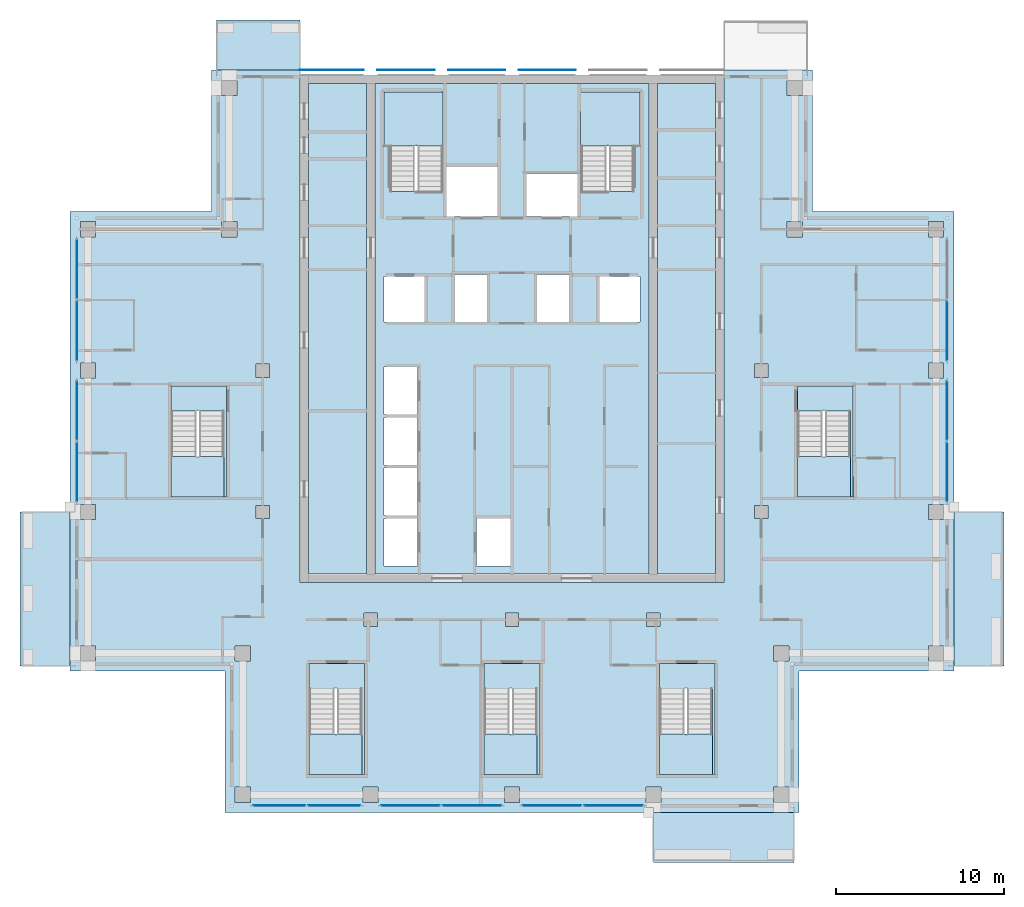
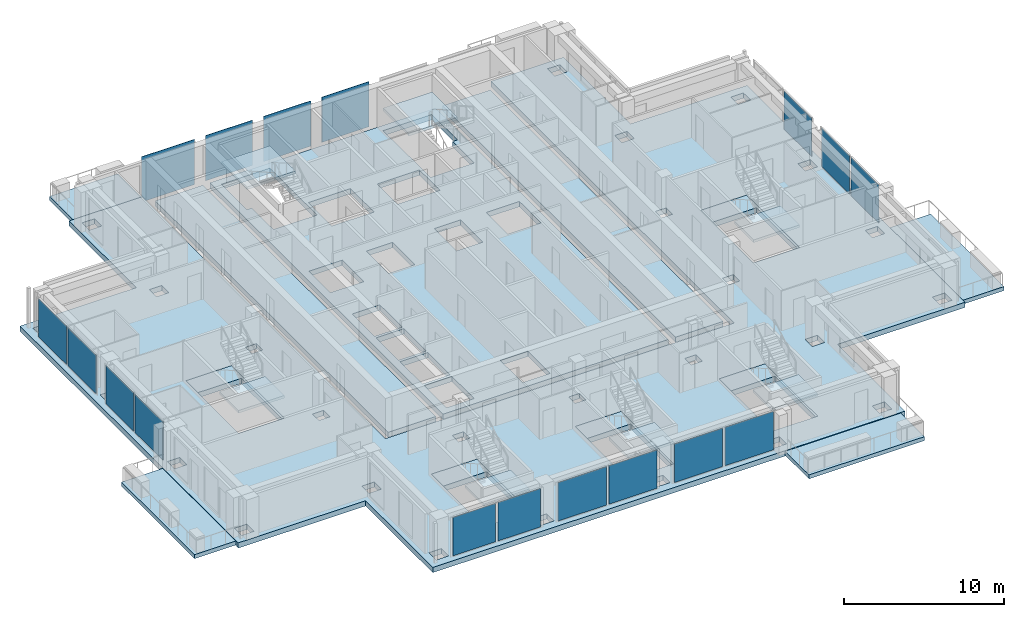
# One storey, part 8 of 18: 20 slabs, 17 plates, 14 elements without a shape of their own.
"""IFC4 building model written with IfcOpenShell, lengths in metres."""

from ifc_helpers import new_model, si_unit, direction, frame, origin, origin_2d, place, context, subcontext, project, spatial, polyline, rectangle, outline, extrude, material, layer, layer_set, type_object, element, aggregate, save


model = new_model("IFC4")

# Units and contexts
model_context = context("Model", 3, precision=1e-05, world=origin(), true_north=direction((0.0, 1.0)))
body_context = subcontext(model_context, "Body", "Model", "MODEL_VIEW")
ifc_project = project(units=[si_unit("LENGTHUNIT", "METRE"), si_unit("AREAUNIT", "SQUARE_METRE"), si_unit("VOLUMEUNIT", "CUBIC_METRE"), si_unit("PLANEANGLEUNIT", "RADIAN"), si_unit("MASSUNIT", "GRAM", prefix="KILO")], contexts=[model_context])

# Site, building, storey
site_placement = place(None, origin())
site = spatial("IfcSite", under=ifc_project, at=site_placement, CompositionType="ELEMENT")
building_placement = place(site_placement, origin())
building = spatial("IfcBuilding", under=site, at=building_placement, Name="Vermilion Ogive Tower", CompositionType="ELEMENT")
storey_placement = place(building_placement, frame((0.0, 0.0, 230.35009765625)))
storey = spatial("IfcBuildingStorey", under=building, at=storey_placement, Name="L60", CompositionType="ELEMENT", Elevation=230.35009765625)

# Slabs
ifc_material_1 = material(Name="Concrete B40", Category="concrete")
ifc_layer_1 = layer(ifc_material_1, 0.300048828125)
ifc_layer_set_1 = layer_set([ifc_layer_1], Name="Balcony slab")
slab_type_1 = type_object("IfcSlabType", Name="Balcony slab", PredefinedType="FLOOR", material=ifc_layer_set_1)
slab_1_placement = place(storey_placement, frame((0.0, 0.0, -0.340087890625)))
element("IfcSlab", 1, at=slab_1_placement, inside=storey, type_object=slab_type_1, Name="Balcony slab S04", PredefinedType="FLOOR", context=body_context, shape_type="SweptSolid", body=[
    extrude(outline(polyline([(8.39990234375, -25.030029296875), (16.75, -25.030029296875), (16.75, -22.050048828125), (8.39990234375, -22.050048828125), (8.39990234375, -25.030029296875)])), origin(), (0.0, 0.0, 1.0), 0.300048828125),
])
slab_2_placement = place(storey_placement, frame((0.0, 0.0, -0.340087890625)))
element("IfcSlab", 2, at=slab_2_placement, inside=storey, type_object=slab_type_1, Name="Balcony slab E01", PredefinedType="FLOOR", context=body_context, shape_type="SweptSolid", body=[
    extrude(outline(polyline([(29.22998046875, -13.35009765625), (29.22998046875, -4.199951171875), (26.25, -4.199951171875), (26.25, -13.35009765625), (29.22998046875, -13.35009765625)])), origin(), (0.0, 0.0, 1.0), 0.300048828125),
])
slab_3_placement = place(storey_placement, frame((0.0, 0.0, -0.340087890625)))
element("IfcSlab", 3, at=slab_3_placement, inside=storey, type_object=slab_type_1, Name="Balcony slab N201", PredefinedType="FLOOR", context=body_context, shape_type="SweptSolid", body=[
    extrude(outline(polyline([(-12.60009765625, 25.030029296875), (-17.550048828125, 25.030029296875), (-17.550048828125, 22.050048828125), (-12.60009765625, 22.050048828125), (-12.60009765625, 25.030029296875)])), origin(), (0.0, 0.0, 1.0), 0.300048828125),
])
slab_4_placement = place(storey_placement, frame((0.0, 0.0, -0.340087890625)))
element("IfcSlab", 4, at=slab_4_placement, inside=storey, type_object=slab_type_1, Name="Balcony slab W03", PredefinedType="FLOOR", context=body_context, shape_type="SweptSolid", body=[
    extrude(outline(polyline([(-29.22998046875, -4.199951171875), (-29.22998046875, -13.35009765625), (-26.25, -13.35009765625), (-26.25, -4.199951171875), (-29.22998046875, -4.199951171875)])), origin(), (0.0, 0.0, 1.0), 0.300048828125),
])

# Curtain wall, plates
ifc_material_2 = material(Name="Low-iron laminated glazing in aluminium frame", Category="aluminium")
curtain_wall_type = type_object("IfcCurtainWallType", Name="Curtain wall CW7", PredefinedType="NOTDEFINED", material=ifc_material_2)
curtain_wall_1_placement = place(storey_placement, origin())
curtain_wall_1 = element("IfcCurtainWall", 5, at=curtain_wall_1_placement, inside=storey, type_object=curtain_wall_type, Name="Glazed skin S1", PredefinedType="NOTDEFINED")
ifc_material_3 = material(Name="Low-iron laminated glazing in aluminium frame", Category="aluminium")
ifc_layer_2 = layer(ifc_material_3, 0.031982421875)
ifc_layer_set_2 = layer_set([ifc_layer_2], Name="CW7 glazing panel 32")
plate_type_1 = type_object("IfcPlateType", Name="CW7 glazing panel 32", PredefinedType="CURTAIN_PANEL", material=ifc_layer_set_2)
plate_1_placement = place(storey_placement, frame((-13.830078125, -21.64990234375, 0.06005859375), z_axis=(0.0, 0.0, 1.0), x_axis=(1.0, 0.0, 0.0)))
plate_1 = element("IfcPlate", 6, at=plate_1_placement, type_object=plate_type_1, Name="CW7-S1 panel 1.1", PredefinedType="CURTAIN_PANEL", context=body_context, shape_type="SweptSolid", body=[
    extrude(rectangle(XDim=3.080078125, YDim=0.031982421875, at=origin_2d()), origin(), (0.0, 0.0, 1.0), 2.929931640625),
])
plate_2_placement = place(storey_placement, frame((-10.570068359375, -21.64990234375, 0.06005859375), z_axis=(0.0, 0.0, 1.0), x_axis=(1.0, 0.0, 0.0)))
plate_2 = element("IfcPlate", 7, at=plate_2_placement, type_object=plate_type_1, Name="CW7-S1 panel 2.1", PredefinedType="CURTAIN_PANEL", context=body_context, shape_type="SweptSolid", body=[
    extrude(rectangle(XDim=3.080078125, YDim=0.031982421875, at=origin_2d()), origin(), (0.0, 0.0, 1.0), 2.929931640625),
])
aggregate(curtain_wall_1, [plate_1, plate_2])

curtain_wall_2_placement = place(storey_placement, origin())
curtain_wall_2 = element("IfcCurtainWall", 8, at=curtain_wall_2_placement, inside=storey, type_object=curtain_wall_type, Name="Glazed skin S2", PredefinedType="NOTDEFINED")
plate_3_placement = place(storey_placement, frame((-6.030029296875, -21.64990234375, 0.06005859375), z_axis=(0.0, 0.0, 1.0), x_axis=(1.0, 0.0, 0.0)))
plate_3 = element("IfcPlate", 9, at=plate_3_placement, type_object=plate_type_1, Name="CW7-S2 panel 1.1", PredefinedType="CURTAIN_PANEL", context=body_context, shape_type="SweptSolid", body=[
    extrude(rectangle(XDim=3.47998046875, YDim=0.031982421875, at=origin_2d()), origin(), (0.0, 0.0, 1.0), 2.929931640625),
])
plate_4_placement = place(storey_placement, frame((-2.3701171875, -21.64990234375, 0.06005859375), z_axis=(0.0, 0.0, 1.0), x_axis=(1.0, 0.0, 0.0)))
plate_4 = element("IfcPlate", 10, at=plate_4_placement, type_object=plate_type_1, Name="CW7-S2 panel 2.1", PredefinedType="CURTAIN_PANEL", context=body_context, shape_type="SweptSolid", body=[
    extrude(rectangle(XDim=3.47998046875, YDim=0.031982421875, at=origin_2d()), origin(), (0.0, 0.0, 1.0), 2.929931640625),
])
aggregate(curtain_wall_2, [plate_3, plate_4])

curtain_wall_3_placement = place(storey_placement, origin())
curtain_wall_3 = element("IfcCurtainWall", 11, at=curtain_wall_3_placement, inside=storey, type_object=curtain_wall_type, Name="Glazed skin S3", PredefinedType="NOTDEFINED")
plate_5_placement = place(storey_placement, frame((2.3701171875, -21.64990234375, 0.06005859375), z_axis=(0.0, 0.0, 1.0), x_axis=(1.0, 0.0, 0.0)))
plate_5 = element("IfcPlate", 12, at=plate_5_placement, type_object=plate_type_1, Name="CW7-S3 panel 1.1", PredefinedType="CURTAIN_PANEL", context=body_context, shape_type="SweptSolid", body=[
    extrude(rectangle(XDim=3.47998046875, YDim=0.031982421875, at=origin_2d()), origin(), (0.0, 0.0, 1.0), 2.929931640625),
])
plate_6_placement = place(storey_placement, frame((6.030029296875, -21.64990234375, 0.06005859375), z_axis=(0.0, 0.0, 1.0), x_axis=(1.0, 0.0, 0.0)))
plate_6 = element("IfcPlate", 13, at=plate_6_placement, type_object=plate_type_1, Name="CW7-S3 panel 2.1", PredefinedType="CURTAIN_PANEL", context=body_context, shape_type="SweptSolid", body=[
    extrude(rectangle(XDim=3.47998046875, YDim=0.031982421875, at=origin_2d()), origin(), (0.0, 0.0, 1.0), 2.929931640625),
])
aggregate(curtain_wall_3, [plate_5, plate_6])

curtain_wall_4_placement = place(storey_placement, origin())
curtain_wall_4 = element("IfcCurtainWall", 14, at=curtain_wall_4_placement, inside=storey, type_object=curtain_wall_type, Name="Glazed skin E2", PredefinedType="NOTDEFINED")
plate_7_placement = place(storey_placement, frame((25.85009765625, -1.830078125, 0.06005859375), z_axis=(0.0, 0.0, 1.0), x_axis=(0.0, 1.0, 0.0)))
plate_7 = element("IfcPlate", 15, at=plate_7_placement, type_object=plate_type_1, Name="CW7-E2 panel 1.1", PredefinedType="CURTAIN_PANEL", context=body_context, shape_type="SweptSolid", body=[
    extrude(rectangle(XDim=3.47998046875, YDim=0.031982421875, at=origin_2d()), origin(), (0.0, 0.0, 1.0), 2.929931640625),
])
plate_8_placement = place(storey_placement, frame((25.85009765625, 1.830078125, 0.06005859375), z_axis=(0.0, 0.0, 1.0), x_axis=(0.0, 1.0, 0.0)))
plate_8 = element("IfcPlate", 16, at=plate_8_placement, type_object=plate_type_1, Name="CW7-E2 panel 2.1", PredefinedType="CURTAIN_PANEL", context=body_context, shape_type="SweptSolid", body=[
    extrude(rectangle(XDim=3.47998046875, YDim=0.031982421875, at=origin_2d()), origin(), (0.0, 0.0, 1.0), 2.929931640625),
])
aggregate(curtain_wall_4, [plate_7, plate_8])

# Curtain wall, plate
curtain_wall_5_placement = place(storey_placement, origin())
curtain_wall_5 = element("IfcCurtainWall", 17, at=curtain_wall_5_placement, inside=storey, type_object=curtain_wall_type, Name="Glazed skin E3", PredefinedType="NOTDEFINED")
plate_9_placement = place(storey_placement, frame((25.85009765625, 6.570068359375, 0.06005859375), z_axis=(0.0, 0.0, 1.0), x_axis=(0.0, 1.0, 0.0)))
plate_9 = element("IfcPlate", 18, at=plate_9_placement, type_object=plate_type_1, Name="CW7-E3 panel 1.1", PredefinedType="CURTAIN_PANEL", context=body_context, shape_type="SweptSolid", body=[
    extrude(rectangle(XDim=3.47998046875, YDim=0.031982421875, at=origin_2d()), origin(), (0.0, 0.0, 1.0), 2.929931640625),
])
aggregate(curtain_wall_5, [plate_9])

# Curtain wall, plates
curtain_wall_6_placement = place(storey_placement, origin())
curtain_wall_6 = element("IfcCurtainWall", 19, at=curtain_wall_6_placement, inside=storey, type_object=curtain_wall_type, Name="Glazed skin W1", PredefinedType="NOTDEFINED")
plate_10_placement = place(storey_placement, frame((-25.85009765625, 10.22998046875, 0.06005859375), z_axis=(0.0, 0.0, 1.0), x_axis=(0.0, -1.0, 0.0)))
plate_10 = element("IfcPlate", 20, at=plate_10_placement, type_object=plate_type_1, Name="CW7-W1 panel 1.1", PredefinedType="CURTAIN_PANEL", context=body_context, shape_type="SweptSolid", body=[
    extrude(rectangle(XDim=3.47998046875, YDim=0.031982421875, at=origin_2d()), origin(), (0.0, 0.0, 1.0), 2.929931640625),
])
plate_11_placement = place(storey_placement, frame((-25.85009765625, 6.570068359375, 0.06005859375), z_axis=(0.0, 0.0, 1.0), x_axis=(0.0, -1.0, 0.0)))
plate_11 = element("IfcPlate", 21, at=plate_11_placement, type_object=plate_type_1, Name="CW7-W1 panel 2.1", PredefinedType="CURTAIN_PANEL", context=body_context, shape_type="SweptSolid", body=[
    extrude(rectangle(XDim=3.47998046875, YDim=0.031982421875, at=origin_2d()), origin(), (0.0, 0.0, 1.0), 2.929931640625),
])
aggregate(curtain_wall_6, [plate_10, plate_11])

curtain_wall_7_placement = place(storey_placement, origin())
curtain_wall_7 = element("IfcCurtainWall", 22, at=curtain_wall_7_placement, inside=storey, type_object=curtain_wall_type, Name="Glazed skin W2", PredefinedType="NOTDEFINED")
plate_12_placement = place(storey_placement, frame((-25.85009765625, 1.830078125, 0.06005859375), z_axis=(0.0, 0.0, 1.0), x_axis=(0.0, -1.0, 0.0)))
plate_12 = element("IfcPlate", 23, at=plate_12_placement, type_object=plate_type_1, Name="CW7-W2 panel 1.1", PredefinedType="CURTAIN_PANEL", context=body_context, shape_type="SweptSolid", body=[
    extrude(rectangle(XDim=3.47998046875, YDim=0.031982421875, at=origin_2d()), origin(), (0.0, 0.0, 1.0), 2.929931640625),
])
plate_13_placement = place(storey_placement, frame((-25.85009765625, -1.830078125, 0.06005859375), z_axis=(0.0, 0.0, 1.0), x_axis=(0.0, -1.0, 0.0)))
plate_13 = element("IfcPlate", 24, at=plate_13_placement, type_object=plate_type_1, Name="CW7-W2 panel 2.1", PredefinedType="CURTAIN_PANEL", context=body_context, shape_type="SweptSolid", body=[
    extrude(rectangle(XDim=3.47998046875, YDim=0.031982421875, at=origin_2d()), origin(), (0.0, 0.0, 1.0), 2.929931640625),
])
aggregate(curtain_wall_7, [plate_12, plate_13])

# Slabs
ifc_material_4 = material(Name="Concrete B40", Category="concrete")
ifc_layer_3 = layer(ifc_material_4, 0.39990234375)
ifc_layer_set_3 = layer_set([ifc_layer_3], Name="Core floor slab 400 B40")
slab_type_2 = type_object("IfcSlabType", Name="Core floor slab 400 B40", PredefinedType="FLOOR", material=ifc_layer_set_3)
slab_5_placement = place(storey_placement, frame((0.0, 0.0, -0.400146484375)))
element("IfcSlab", 25, at=slab_5_placement, inside=storey, type_object=slab_type_2, Name="L60-CK-FS1", PredefinedType="FLOOR", context=body_context, shape_type="SweptSolid", body=[
    extrude(outline(polyline([(-8.654052734375, 21.24609375), (-8.654052734375, -7.89599609375), (-12.095947265625, -7.89599609375), (-12.095947265625, 21.24609375), (-8.654052734375, 21.24609375)])), origin(), (0.0, 0.0, 1.0), 0.400146484375),
])
slab_6_placement = place(storey_placement, frame((0.0, 0.0, -0.400146484375)))
element("IfcSlab", 26, at=slab_6_placement, inside=storey, type_object=slab_type_2, Name="L60-CK-FS2", PredefinedType="FLOOR", context=body_context, shape_type="SweptSolid", body=[
    extrude(outline(polyline([(-8.14599609375, -7.89599609375), (8.14599609375, -7.89599609375), (8.14599609375, 21.24609375), (-8.14599609375, 21.24609375), (-8.14599609375, -7.89599609375)]), holes=[polyline([(-7.60009765625, -7.39990234375), (-7.60009765625, -4.60009765625), (-5.60009765625, -4.60009765625), (-5.60009765625, -7.39990234375), (-7.60009765625, -7.39990234375)]), polyline([(-7.60009765625, -4.39990234375), (-7.60009765625, -1.60009765625), (-5.60009765625, -1.60009765625), (-5.60009765625, -4.39990234375), (-7.60009765625, -4.39990234375)]), polyline([(-7.60009765625, -1.39990234375), (-7.60009765625, 1.39990234375), (-5.60009765625, 1.39990234375), (-5.60009765625, -1.39990234375), (-7.60009765625, -1.39990234375)]), polyline([(-7.60009765625, 1.60009765625), (-7.60009765625, 4.39990234375), (-5.60009765625, 4.39990234375), (-5.60009765625, 1.60009765625), (-7.60009765625, 1.60009765625)]), polyline([(-7.60009765625, 7.10009765625), (-7.60009765625, 9.800048828125), (-5.199951171875, 9.800048828125), (-5.199951171875, 7.10009765625), (-7.60009765625, 7.10009765625)]), polyline([(-3.39990234375, 9.89990234375), (-1.5, 9.89990234375), (-1.5, 7.10009765625), (-3.39990234375, 7.10009765625), (-3.39990234375, 9.89990234375)]), polyline([(-7.60009765625, 17.550048828125), (-7.60009765625, 20.75), (-4.10009765625, 20.75), (-4.10009765625, 14.85205078125), (-5.60009765625, 14.85205078125), (-5.60009765625, 14.85009765625), (-5.75, 14.85009765625), (-5.75, 14.85205078125), (-7.25, 14.85205078125), (-7.25, 17.550048828125), (-7.60009765625, 17.550048828125)]), polyline([(-2.10009765625, -7.39990234375), (-2.10009765625, -4.60009765625), (-0.10009765625, -4.60009765625), (-0.10009765625, -7.39990234375), (-2.10009765625, -7.39990234375)]), polyline([(5.199951171875, 7.10009765625), (5.199951171875, 9.800048828125), (7.60009765625, 9.800048828125), (7.60009765625, 7.10009765625), (5.199951171875, 7.10009765625)]), polyline([(1.5, 7.10009765625), (1.5, 9.89990234375), (3.39990234375, 9.89990234375), (3.39990234375, 7.10009765625), (1.5, 7.10009765625)]), polyline([(0.85009765625, 13.35009765625), (0.85009765625, 15.89990234375), (3.89990234375, 15.89990234375), (3.89990234375, 13.35009765625), (0.85009765625, 13.35009765625)]), polyline([(-3.89990234375, 16.300048828125), (-0.85009765625, 16.300048828125), (-0.85009765625, 13.35009765625), (-3.89990234375, 13.35009765625), (-3.89990234375, 16.300048828125)]), polyline([(5.75, 14.85009765625), (5.60009765625, 14.85009765625), (5.60009765625, 14.85205078125), (4.10009765625, 14.85205078125), (4.10009765625, 17.550048828125), (4.074951171875, 17.550048828125), (4.074951171875, 20.75), (7.60009765625, 20.75), (7.60009765625, 17.550048828125), (7.25, 17.550048828125), (7.25, 14.85205078125), (5.75, 14.85205078125), (5.75, 14.85009765625)])]), origin(), (0.0, 0.0, 1.0), 0.400146484375),
])
slab_7_placement = place(storey_placement, frame((0.0, 0.0, -0.400146484375)))
element("IfcSlab", 27, at=slab_7_placement, inside=storey, type_object=slab_type_2, Name="L60-CK-FS3", PredefinedType="FLOOR", context=body_context, shape_type="SweptSolid", body=[
    extrude(outline(polyline([(8.654052734375, 21.24609375), (12.095947265625, 21.24609375), (12.095947265625, -7.89599609375), (8.654052734375, -7.89599609375), (8.654052734375, 21.24609375)])), origin(), (0.0, 0.0, 1.0), 0.400146484375),
])
slab_8_placement = place(storey_placement, frame((0.0, 0.0, -0.400146484375)))
element("IfcSlab", 28, at=slab_8_placement, inside=storey, type_object=slab_type_2, Name="L60-SF-ST3-1", PredefinedType="FLOOR", context=body_context, shape_type="SweptSolid", body=[
    extrude(outline(polyline([(-12.050048828125, -13.199951171875), (-12.050048828125, -14.701904296875), (-10.550048828125, -14.701904296875), (-10.550048828125, -14.699951171875), (-10.39990234375, -14.699951171875), (-10.39990234375, -14.701904296875), (-8.89990234375, -14.701904296875), (-8.89990234375, -19.800048828125), (-8.75, -19.800048828125), (-8.75, -13.199951171875), (-12.050048828125, -13.199951171875)])), origin(), (0.0, 0.0, 1.0), 0.400146484375),
])
slab_9_placement = place(storey_placement, frame((0.0, 0.0, -0.400146484375)))
element("IfcSlab", 29, at=slab_9_placement, inside=storey, type_object=slab_type_2, Name="L60-SF-ST4-1", PredefinedType="FLOOR", context=body_context, shape_type="SweptSolid", body=[
    extrude(outline(polyline([(-1.64990234375, -13.199951171875), (-1.64990234375, -14.701904296875), (-0.14990234375, -14.701904296875), (-0.14990234375, -14.699951171875), (0.0, -14.699951171875), (0.0, -14.701904296875), (1.5, -14.701904296875), (1.5, -19.800048828125), (1.64990234375, -19.800048828125), (1.64990234375, -13.199951171875), (-1.64990234375, -13.199951171875)])), origin(), (0.0, 0.0, 1.0), 0.400146484375),
])
slab_10_placement = place(storey_placement, frame((0.0, 0.0, -0.400146484375)))
element("IfcSlab", 30, at=slab_10_placement, inside=storey, type_object=slab_type_2, Name="L60-SF-ST5-1", PredefinedType="FLOOR", context=body_context, shape_type="SweptSolid", body=[
    extrude(outline(polyline([(8.75, -13.199951171875), (8.75, -14.701904296875), (10.25, -14.701904296875), (10.25, -14.699951171875), (10.39990234375, -14.699951171875), (10.39990234375, -14.701904296875), (11.89990234375, -14.701904296875), (11.89990234375, -19.800048828125), (12.050048828125, -19.800048828125), (12.050048828125, -13.199951171875), (8.75, -13.199951171875)])), origin(), (0.0, 0.0, 1.0), 0.400146484375),
])
slab_11_placement = place(storey_placement, frame((0.0, 0.0, -0.400146484375)))
element("IfcSlab", 31, at=slab_11_placement, inside=storey, type_object=slab_type_2, Name="L60-SF-ST8-1", PredefinedType="FLOOR", context=body_context, shape_type="SweptSolid", body=[
    extrude(outline(polyline([(16.949951171875, 3.300048828125), (16.949951171875, 1.798095703125), (18.449951171875, 1.798095703125), (18.449951171875, 1.800048828125), (18.60009765625, 1.800048828125), (18.60009765625, 1.798095703125), (20.10009765625, 1.798095703125), (20.10009765625, -3.300048828125), (20.25, -3.300048828125), (20.25, 3.300048828125), (16.949951171875, 3.300048828125)])), origin(), (0.0, 0.0, 1.0), 0.400146484375),
])
slab_12_placement = place(storey_placement, frame((0.0, 0.0, -0.400146484375)))
element("IfcSlab", 32, at=slab_12_placement, inside=storey, type_object=slab_type_2, Name="L60-SF-ST9-1", PredefinedType="FLOOR", context=body_context, shape_type="SweptSolid", body=[
    extrude(outline(polyline([(-20.25, 3.300048828125), (-20.25, 1.798095703125), (-18.75, 1.798095703125), (-18.75, 1.800048828125), (-18.60009765625, 1.800048828125), (-18.60009765625, 1.798095703125), (-17.10009765625, 1.798095703125), (-17.10009765625, -3.300048828125), (-16.949951171875, -3.300048828125), (-16.949951171875, 3.300048828125), (-20.25, 3.300048828125)])), origin(), (0.0, 0.0, 1.0), 0.400146484375),
])

# Plates
ifc_material_5 = material(Name="Low-iron laminated glazing in aluminium frame", Category="aluminium")
ifc_layer_4 = layer(ifc_material_5, 0.031982421875)
ifc_layer_set_4 = layer_set([ifc_layer_4], Name="Glazed rainscreen sheet 32")
plate_type_2 = type_object("IfcPlateType", Name="Glazed rainscreen sheet 32", PredefinedType="SHEET", material=ifc_layer_set_4)
plate_14_placement = place(storey_placement, frame((-10.7099609375, 22.06591796875, -0.39990234375), z_axis=(0.0, 0.0, 1.0), x_axis=(1.0, 0.0, 0.0)))
element("IfcPlate", 33, at=plate_14_placement, inside=storey, type_object=plate_type_2, Name="Glazed rainscreen sheet N1", PredefinedType="SHEET", context=body_context, shape_type="SweptSolid", body=[
    extrude(rectangle(XDim=3.820068359375, YDim=0.031982421875, at=origin_2d()), origin(), (0.0, 0.0, 1.0), 3.449951171875),
])
for number, where, z_axis, x_axis, name in (
    (34, (-6.300048828125, 22.06591796875, -0.39990234375), (0.0, 0.0, 1.0), (1.0, 0.0, 0.0), "Glazed rainscreen sheet N2"),
    (35, (-2.10009765625, 22.06591796875, -0.39990234375), (0.0, 0.0, 1.0), (1.0, 0.0, 0.0), "Glazed rainscreen sheet N3"),
    (36, (2.10009765625, 22.06591796875, -0.39990234375), (0.0, 0.0, 1.0), (1.0, 0.0, 0.0), "Glazed rainscreen sheet N4"),
):
    element("IfcPlate", number, at=place(storey_placement, frame(where, z_axis=z_axis, x_axis=x_axis)), inside=storey, type_object=plate_type_2, Name=name, PredefinedType="SHEET", context=body_context, shape_type="SweptSolid", body=[
        extrude(rectangle(XDim=3.39990234375, YDim=0.031982421875, at=origin_2d()), origin(), (0.0, 0.0, 1.0), 3.449951171875),
    ])

# Slab
ifc_material_6 = material(Name="Concrete B45", Category="concrete")
ifc_layer_5 = layer(ifc_material_6, 0.39990234375)
ifc_layer_set_5 = layer_set([ifc_layer_5], Name="Post-tensioned flat plate 400 B45")
slab_type_3 = type_object("IfcSlabType", Name="Post-tensioned flat plate 400 B45", PredefinedType="FLOOR", material=ifc_layer_set_5)
slab_13_placement = place(storey_placement, frame((0.0, 0.0, -0.400146484375)))
element("IfcSlab", 37, at=slab_13_placement, inside=storey, type_object=slab_type_3, Name="L60-SL-1", PredefinedType="FLOOR", context=body_context, shape_type="SweptSolid", body=[
    extrude(outline(polyline([(-26.25, -13.64990234375), (-17.050048828125, -13.64990234375), (-17.050048828125, -22.050048828125), (17.050048828125, -22.050048828125), (17.050048828125, -13.64990234375), (26.25, -13.64990234375), (26.25, 13.64990234375), (17.85009765625, 13.64990234375), (17.85009765625, 22.050048828125), (12.60009765625, 22.050048828125), (12.60009765625, -8.39990234375), (-12.60009765625, -8.39990234375), (-12.60009765625, 22.050048828125), (-17.85009765625, 22.050048828125), (-17.85009765625, 13.64990234375), (-26.25, 13.64990234375), (-26.25, -13.64990234375)]), holes=[polyline([(25.64990234375, -3.75), (25.64990234375, -4.64990234375), (24.75, -4.64990234375), (24.75, -3.75), (25.64990234375, -3.75)]), polyline([(25.64990234375, -12.14990234375), (25.64990234375, -13.050048828125), (24.75, -13.050048828125), (24.75, -12.14990234375), (25.64990234375, -12.14990234375)]), polyline([(25.64990234375, 12.14990234375), (24.75, 12.14990234375), (24.75, 13.050048828125), (25.64990234375, 13.050048828125), (25.64990234375, 12.14990234375)]), polyline([(25.64990234375, 3.75), (24.75, 3.75), (24.75, 4.64990234375), (25.64990234375, 4.64990234375), (25.64990234375, 3.75)]), polyline([(20.25, -3.2998046875), (20.25, -3.300048828125), (16.949951171875, -3.300048828125), (16.949951171875, 3.300048828125), (20.25, 3.300048828125), (20.25, -0.89990234375), (20.275146484375, -0.89990234375), (20.275146484375, -3.2998046875), (20.25, -3.2998046875)]), polyline([(17.25, 13.050048828125), (17.25, 12.14990234375), (16.35009765625, 12.14990234375), (16.35009765625, 13.050048828125), (17.25, 13.050048828125)]), polyline([(17.25, 20.550048828125), (16.35009765625, 20.550048828125), (16.35009765625, 21.449951171875), (17.25, 21.449951171875), (17.25, 20.550048828125)]), polyline([(16.449951171875, -12.14990234375), (16.449951171875, -13.050048828125), (15.550048828125, -13.050048828125), (15.550048828125, -12.14990234375), (16.449951171875, -12.14990234375)]), polyline([(16.449951171875, -20.550048828125), (16.449951171875, -21.449951171875), (15.550048828125, -21.449951171875), (15.550048828125, -20.550048828125), (16.449951171875, -20.550048828125)]), polyline([(15.199951171875, 4.60009765625), (15.199951171875, 3.800048828125), (14.39990234375, 3.800048828125), (14.39990234375, 4.60009765625), (15.199951171875, 4.60009765625)]), polyline([(15.199951171875, -4.60009765625), (14.39990234375, -4.60009765625), (14.39990234375, -3.800048828125), (15.199951171875, -3.800048828125), (15.199951171875, -4.60009765625)]), polyline([(12.050048828125, -13.199951171875), (12.050048828125, -19.800048828125), (8.75, -19.800048828125), (8.75, -13.199951171875), (12.050048828125, -13.199951171875)]), polyline([(8.85009765625, -20.550048828125), (8.85009765625, -21.449951171875), (7.949951171875, -21.449951171875), (7.949951171875, -20.550048828125), (8.85009765625, -20.550048828125)]), polyline([(8.800048828125, -11.0), (8.0, -11.0), (8.0, -10.199951171875), (8.800048828125, -10.199951171875), (8.800048828125, -11.0)]), polyline([(1.64990234375, -13.199951171875), (1.64990234375, -19.800048828125), (-1.64990234375, -19.800048828125), (-1.64990234375, -13.199951171875), (1.64990234375, -13.199951171875)]), polyline([(0.449951171875, -20.550048828125), (0.449951171875, -21.449951171875), (-0.449951171875, -21.449951171875), (-0.449951171875, -20.550048828125), (0.449951171875, -20.550048828125)]), polyline([(0.39990234375, -10.199951171875), (0.39990234375, -11.0), (-0.39990234375, -11.0), (-0.39990234375, -10.199951171875), (0.39990234375, -10.199951171875)]), polyline([(-7.949951171875, -20.550048828125), (-7.949951171875, -21.449951171875), (-8.85009765625, -21.449951171875), (-8.85009765625, -20.550048828125), (-7.949951171875, -20.550048828125)]), polyline([(-8.0, -10.199951171875), (-8.0, -11.0), (-8.800048828125, -11.0), (-8.800048828125, -10.199951171875), (-8.0, -10.199951171875)]), polyline([(-8.75, -13.199951171875), (-8.75, -19.800048828125), (-12.050048828125, -19.800048828125), (-12.050048828125, -13.199951171875), (-8.75, -13.199951171875)]), polyline([(-14.39990234375, 4.60009765625), (-14.39990234375, 3.800048828125), (-15.199951171875, 3.800048828125), (-15.199951171875, 4.60009765625), (-14.39990234375, 4.60009765625)]), polyline([(-14.39990234375, -4.60009765625), (-15.199951171875, -4.60009765625), (-15.199951171875, -3.800048828125), (-14.39990234375, -3.800048828125), (-14.39990234375, -4.60009765625)]), polyline([(-15.550048828125, -12.14990234375), (-15.550048828125, -13.050048828125), (-16.449951171875, -13.050048828125), (-16.449951171875, -12.14990234375), (-15.550048828125, -12.14990234375)]), polyline([(-15.550048828125, -20.550048828125), (-15.550048828125, -21.449951171875), (-16.449951171875, -21.449951171875), (-16.449951171875, -20.550048828125), (-15.550048828125, -20.550048828125)]), polyline([(-16.35009765625, 13.050048828125), (-16.35009765625, 12.14990234375), (-17.25, 12.14990234375), (-17.25, 13.050048828125), (-16.35009765625, 13.050048828125)]), polyline([(-16.35009765625, 20.550048828125), (-17.25, 20.550048828125), (-17.25, 21.449951171875), (-16.35009765625, 21.449951171875), (-16.35009765625, 20.550048828125)]), polyline([(-16.949951171875, 3.300048828125), (-16.949951171875, -3.300048828125), (-20.25, -3.300048828125), (-20.25, 3.300048828125), (-16.949951171875, 3.300048828125)]), polyline([(-24.75, 3.75), (-25.64990234375, 3.75), (-25.64990234375, 4.64990234375), (-24.75, 4.64990234375), (-24.75, 3.75)]), polyline([(-24.75, 13.050048828125), (-24.75, 12.14990234375), (-25.64990234375, 12.14990234375), (-25.64990234375, 13.050048828125), (-24.75, 13.050048828125)]), polyline([(-24.75, -3.75), (-24.75, -4.64990234375), (-25.64990234375, -4.64990234375), (-25.64990234375, -3.75), (-24.75, -3.75)]), polyline([(-24.75, -12.14990234375), (-24.75, -13.050048828125), (-25.64990234375, -13.050048828125), (-25.64990234375, -12.14990234375), (-24.75, -12.14990234375)])]), origin(), (0.0, 0.0, 1.0), 0.400146484375),
])

# Stair, slab
ifc_material_7 = material(Name="Concrete B40", Category="concrete")
stair_type = type_object("IfcStairType", Name="Exit stair 1500", PredefinedType="HALF_TURN_STAIR", material=ifc_material_7)
stair_1_placement = place(storey_placement, origin())
stair_1 = element("IfcStair", 38, at=stair_1_placement, inside=storey, type_object=stair_type, Name="L60 Exit Stair ST1", PredefinedType="HALF_TURN_STAIR")
ifc_material_8 = material(Name="Concrete B40", Category="concrete")
ifc_layer_6 = layer(ifc_material_8, 0.199951171875)
ifc_layer_set_6 = layer_set([ifc_layer_6], Name="Stair landing 200")
slab_type_4 = type_object("IfcSlabType", Name="Stair landing 200", PredefinedType="LANDING", material=ifc_layer_set_6)
slab_14_placement = place(storey_placement, frame((0.0, 0.0, 1.52490234375)))
slab_14 = element("IfcSlab", 39, at=slab_14_placement, type_object=slab_type_4, Name="ST1 landing 1", PredefinedType="LANDING", context=body_context, shape_type="SweptSolid", body=[
    extrude(outline(polyline([(-7.60009765625, 17.550048828125), (-7.25, 17.550048828125), (-7.25, 17.548095703125), (-5.75, 17.548095703125), (-5.75, 17.550048828125), (-5.60009765625, 17.550048828125), (-5.60009765625, 17.548095703125), (-4.10009765625, 17.548095703125), (-4.10009765625, 20.75), (-7.60009765625, 20.75), (-7.60009765625, 17.550048828125)])), origin(), (0.0, 0.0, 1.0), 0.199951171875),
])
aggregate(stair_1, [slab_14])

stair_2_placement = place(storey_placement, origin())
stair_2 = element("IfcStair", 40, at=stair_2_placement, inside=storey, type_object=stair_type, Name="L60 Exit Stair ST2", PredefinedType="HALF_TURN_STAIR")
slab_15_placement = place(storey_placement, frame((0.0, 0.0, 1.52490234375)))
slab_15 = element("IfcSlab", 41, at=slab_15_placement, type_object=slab_type_4, Name="ST2 landing 1", PredefinedType="LANDING", context=body_context, shape_type="SweptSolid", body=[
    extrude(outline(polyline([(5.60009765625, 17.550048828125), (5.75, 17.550048828125), (5.75, 17.548095703125), (7.25, 17.548095703125), (7.25, 17.550048828125), (7.60009765625, 17.550048828125), (7.60009765625, 20.75), (4.074951171875, 20.75), (4.074951171875, 17.550048828125), (4.10009765625, 17.550048828125), (4.10009765625, 17.548095703125), (5.60009765625, 17.548095703125), (5.60009765625, 17.550048828125)])), origin(), (0.0, 0.0, 1.0), 0.199951171875),
])
aggregate(stair_2, [slab_15])

stair_3_placement = place(storey_placement, origin())
stair_3 = element("IfcStair", 42, at=stair_3_placement, inside=storey, type_object=stair_type, Name="L60 Exit Stair ST3", PredefinedType="HALF_TURN_STAIR")
slab_16_placement = place(storey_placement, frame((0.0, 0.0, 1.52490234375)))
slab_16 = element("IfcSlab", 43, at=slab_16_placement, type_object=slab_type_4, Name="ST3 landing 1", PredefinedType="LANDING", context=body_context, shape_type="SweptSolid", body=[
    extrude(outline(polyline([(-8.75, -17.39990234375), (-8.89990234375, -17.39990234375), (-8.89990234375, -17.39794921875), (-10.39990234375, -17.39794921875), (-10.39990234375, -17.39990234375), (-10.550048828125, -17.39990234375), (-10.550048828125, -17.39794921875), (-12.050048828125, -17.39794921875), (-12.050048828125, -19.800048828125), (-8.75, -19.800048828125), (-8.75, -17.39990234375)])), origin(), (0.0, 0.0, 1.0), 0.199951171875),
])
aggregate(stair_3, [slab_16])

stair_4_placement = place(storey_placement, origin())
stair_4 = element("IfcStair", 44, at=stair_4_placement, inside=storey, type_object=stair_type, Name="L60 Exit Stair ST4", PredefinedType="HALF_TURN_STAIR")
slab_17_placement = place(storey_placement, frame((0.0, 0.0, 1.52490234375)))
slab_17 = element("IfcSlab", 45, at=slab_17_placement, type_object=slab_type_4, Name="ST4 landing 1", PredefinedType="LANDING", context=body_context, shape_type="SweptSolid", body=[
    extrude(outline(polyline([(1.64990234375, -17.39990234375), (1.5, -17.39990234375), (1.5, -17.39794921875), (0.0, -17.39794921875), (0.0, -17.39990234375), (-0.14990234375, -17.39990234375), (-0.14990234375, -17.39794921875), (-1.64990234375, -17.39794921875), (-1.64990234375, -19.7998046875), (1.64990234375, -19.7998046875), (1.64990234375, -17.39990234375)])), origin(), (0.0, 0.0, 1.0), 0.199951171875),
])
aggregate(stair_4, [slab_17])

stair_5_placement = place(storey_placement, origin())
stair_5 = element("IfcStair", 46, at=stair_5_placement, inside=storey, type_object=stair_type, Name="L60 Exit Stair ST5", PredefinedType="HALF_TURN_STAIR")
slab_18_placement = place(storey_placement, frame((0.0, 0.0, 1.52490234375)))
slab_18 = element("IfcSlab", 47, at=slab_18_placement, type_object=slab_type_4, Name="ST5 landing 1", PredefinedType="LANDING", context=body_context, shape_type="SweptSolid", body=[
    extrude(outline(polyline([(12.050048828125, -17.39990234375), (11.89990234375, -17.39990234375), (11.89990234375, -17.39794921875), (10.39990234375, -17.39794921875), (10.39990234375, -17.39990234375), (10.25, -17.39990234375), (10.25, -17.39794921875), (8.75, -17.39794921875), (8.75, -19.800048828125), (12.050048828125, -19.800048828125), (12.050048828125, -17.39990234375)])), origin(), (0.0, 0.0, 1.0), 0.199951171875),
])
aggregate(stair_5, [slab_18])

stair_6_placement = place(storey_placement, origin())
stair_6 = element("IfcStair", 48, at=stair_6_placement, inside=storey, type_object=stair_type, Name="L60 Exit Stair ST8", PredefinedType="HALF_TURN_STAIR")
slab_19_placement = place(storey_placement, frame((0.0, 0.0, 1.52490234375)))
slab_19 = element("IfcSlab", 49, at=slab_19_placement, type_object=slab_type_4, Name="ST8 landing 1", PredefinedType="LANDING", context=body_context, shape_type="SweptSolid", body=[
    extrude(outline(polyline([(20.275146484375, -0.89990234375), (20.10009765625, -0.89990234375), (20.10009765625, -0.89794921875), (18.60009765625, -0.89794921875), (18.60009765625, -0.89990234375), (18.449951171875, -0.89990234375), (18.449951171875, -0.89794921875), (16.949951171875, -0.89794921875), (16.949951171875, -0.902099609375), (16.9501953125, -0.902099609375), (16.9501953125, -3.2998046875), (20.275146484375, -3.2998046875), (20.275146484375, -0.89990234375)])), origin(), (0.0, 0.0, 1.0), 0.199951171875),
])
aggregate(stair_6, [slab_19])

stair_7_placement = place(storey_placement, origin())
stair_7 = element("IfcStair", 50, at=stair_7_placement, inside=storey, type_object=stair_type, Name="L60 Exit Stair ST9", PredefinedType="HALF_TURN_STAIR")
slab_20_placement = place(storey_placement, frame((0.0, 0.0, 1.52490234375)))
slab_20 = element("IfcSlab", 51, at=slab_20_placement, type_object=slab_type_4, Name="ST9 landing 1", PredefinedType="LANDING", context=body_context, shape_type="SweptSolid", body=[
    extrude(outline(polyline([(-16.9501953125, -0.89990234375), (-17.10009765625, -0.89990234375), (-17.10009765625, -0.89794921875), (-18.60009765625, -0.89794921875), (-18.60009765625, -0.89990234375), (-18.75, -0.89990234375), (-18.75, -0.89794921875), (-20.25, -0.89794921875), (-20.25, -0.89990234375), (-20.25, -0.89990234375), (-20.25, -3.2998046875), (-16.9501953125, -3.2998046875), (-16.9501953125, -0.89990234375)])), origin(), (0.0, 0.0, 1.0), 0.199951171875),
])
aggregate(stair_7, [slab_20])

save(model, "model.ifc")
